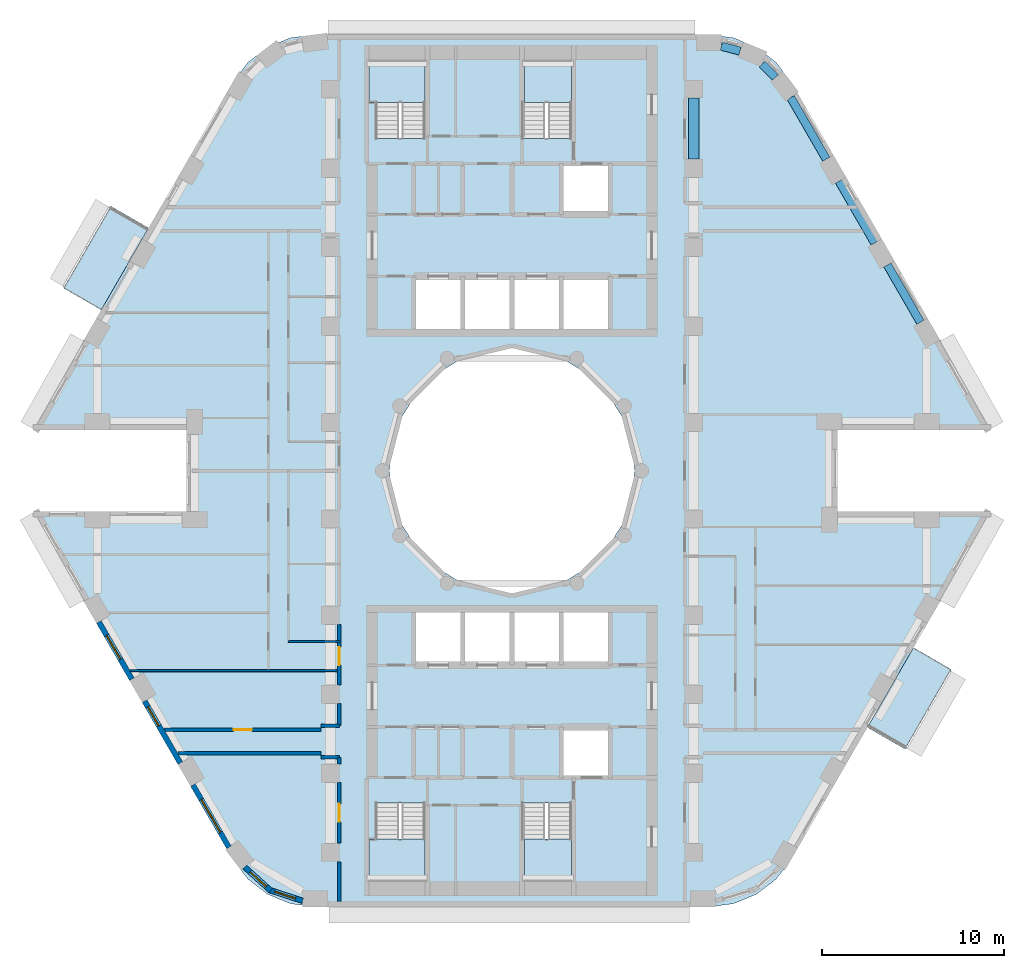
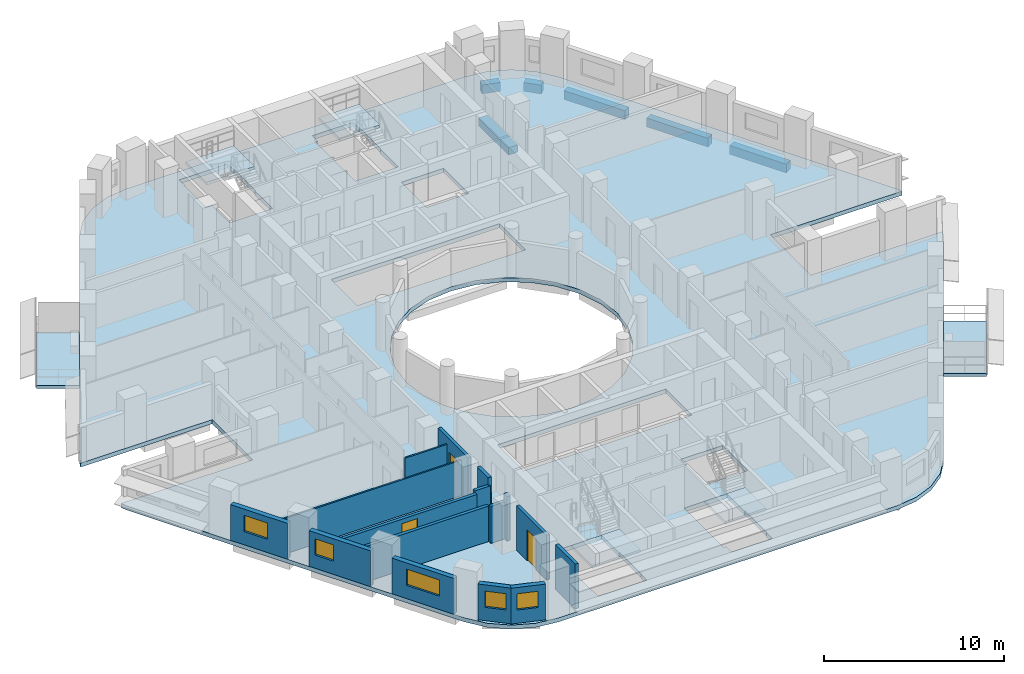
# One storey, part 2 of 14: 16 walls, 7 slabs, 6 beams, 5 windows, 3 doors, 8 openings, 4 elements without a shape of their own.
"""IFC4 building model written with IfcOpenShell, lengths in metres."""

from ifc_helpers import new_model, si_unit, direction, frame, frame_2d, origin, origin_2d, place, context, subcontext, project, spatial, polyline, rectangle, outline, extrude, material, layer, layer_set, material_profile, profile_set, type_object, element, fill, aggregate, save


model = new_model("IFC4")

# Units and contexts
model_context = context("Model", 3, precision=1e-05, world=origin(), true_north=direction((0.0, 1.0)))
body_context = subcontext(model_context, "Body", "Model", "MODEL_VIEW")
ifc_project = project(units=[si_unit("LENGTHUNIT", "METRE"), si_unit("AREAUNIT", "SQUARE_METRE"), si_unit("VOLUMEUNIT", "CUBIC_METRE"), si_unit("PLANEANGLEUNIT", "RADIAN"), si_unit("MASSUNIT", "GRAM", prefix="KILO")], contexts=[model_context])

# Site, building, storey
site_placement = place(None, origin())
site = spatial("IfcSite", under=ifc_project, at=site_placement, CompositionType="ELEMENT")
building_placement = place(site_placement, origin())
building = spatial("IfcBuilding", under=site, at=building_placement, Name="Nakaniwa Court", CompositionType="ELEMENT")
storey_placement = place(building_placement, frame((0.0, 0.0, 110.699951171875)))
storey = spatial("IfcBuildingStorey", under=building, at=storey_placement, Name="L29", CompositionType="ELEMENT", Elevation=110.699951171875)

# Beams
ifc_material_1 = material(Name="Concrete C80/100", Category="concrete")
ifc_material_profile_1 = material_profile(ifc_material_1, rectangle(XDim=0.449951171875, YDim=0.60009765625, at=origin_2d()), Name="Concrete C80/100 RC 450x600 spandrel beam")
ifc_profile_set_1 = profile_set([ifc_material_profile_1], Name="Concrete C80/100")
beam_type_1 = type_object("IfcBeamType", Name="Concrete C80/100 RC 450x600 spandrel beam", PredefinedType="BEAM", material=ifc_profile_set_1)
beam_1_placement = place(storey_placement, frame((102.472900390625, 88.17578125, -0.574951171875), z_axis=(-0.499988394233, 0.866032104273, 0.0), x_axis=(-0.866032104273, -0.499988394233, 0.0)))
element("IfcBeam", 1, at=beam_1_placement, inside=storey, type_object=beam_type_1, Name="SPANDREL BEAM", PredefinedType="BEAM", context=body_context, shape_type="SweptSolid", body=[
    extrude(rectangle(XDim=0.449951171875, YDim=0.60009765625, at=origin_2d()), origin(), (0.0, 0.0, 1.0), 3.62890625),
])
beam_2_placement = place(storey_placement, frame((99.95849609375, 92.531005859375, -0.574951171875), z_axis=(-0.49999161165, 0.866030246746, 0.0), x_axis=(-0.866030246746, -0.49999161165, 0.0)))
element("IfcBeam", 2, at=beam_2_placement, inside=storey, type_object=beam_type_1, Name="SPANDREL BEAM", PredefinedType="BEAM", context=body_context, shape_type="SweptSolid", body=[
    extrude(rectangle(XDim=0.449951171875, YDim=0.60009765625, at=origin_2d()), origin(), (0.0, 0.0, 1.0), 3.92578125),
])
beam_3_placement = place(storey_placement, frame((97.29541015625, 97.143310546875, -0.574951171875), z_axis=(-0.499997407846, 0.86602690036, 0.0), x_axis=(-0.86602690036, -0.499997407846, 0.0)))
element("IfcBeam", 3, at=beam_3_placement, inside=storey, type_object=beam_type_1, Name="SPANDREL BEAM", PredefinedType="BEAM", context=body_context, shape_type="SweptSolid", body=[
    extrude(rectangle(XDim=0.449951171875, YDim=0.60009765625, at=origin_2d()), origin(), (0.0, 0.0, 1.0), 3.919921875),
])
beam_4_placement = place(storey_placement, frame((94.484130859375, 101.6494140625, -0.574951171875), z_axis=(-0.705911336947, 0.7083002078, 0.0), x_axis=(-0.7083002078, -0.705911336947, 0.0)))
element("IfcBeam", 4, at=beam_4_placement, inside=storey, type_object=beam_type_1, Name="SPANDREL BEAM", PredefinedType="BEAM", context=body_context, shape_type="SweptSolid", body=[
    extrude(rectangle(XDim=0.449951171875, YDim=0.60009765625, at=origin_2d()), origin(), (0.0, 0.0, 1.0), 1.02197265625),
])
beam_5_placement = place(storey_placement, frame((92.544921875, 103.091796875, -0.574951171875), z_axis=(-0.966315487466, 0.257360406209, 0.0), x_axis=(-0.257360406209, -0.966315487466, 0.0)))
element("IfcBeam", 5, at=beam_5_placement, inside=storey, type_object=beam_type_1, Name="SPANDREL BEAM", PredefinedType="BEAM", context=body_context, shape_type="SweptSolid", body=[
    extrude(rectangle(XDim=0.449951171875, YDim=0.60009765625, at=origin_2d()), origin(), (0.0, 0.0, 1.0), 1.055908203125),
])
ifc_material_profile_2 = material_profile(ifc_material_1, rectangle(XDim=0.60009765625, YDim=0.5, at=origin_2d()), Name="Concrete C80/100 RC 600x500 ring beam")
ifc_profile_set_2 = profile_set([ifc_material_profile_2], Name="Concrete C80/100")
beam_type_2 = type_object("IfcBeamType", Name="Concrete C80/100 RC 600x500 ring beam", PredefinedType="BEAM", material=ifc_profile_set_2)
beam_6_placement = place(storey_placement, frame((90.0, 97.14990234375, -0.52490234375), z_axis=(0.0, 1.0, 0.0), x_axis=(-1.0, 0.0, 0.0)))
element("IfcBeam", 6, at=beam_6_placement, inside=storey, type_object=beam_type_2, Name="RING BEAM", PredefinedType="BEAM", context=body_context, shape_type="SweptSolid", body=[
    extrude(rectangle(XDim=0.60009765625, YDim=0.5, at=origin_2d()), origin(), (0.0, 0.0, 1.0), 3.35009765625),
])

# Slabs
ifc_material_2 = material(Name="Charcoal ceramic paver")
ifc_layer_1 = layer(ifc_material_2, 0.02, Name="Ceramic paver")
ifc_material_3 = material(Name="Cement sand screed")
ifc_layer_2 = layer(ifc_material_3, 0.03, Name="Falls screed")
ifc_material_4 = material(Name="Concrete C40/50", Category="concrete")
ifc_layer_3 = layer(ifc_material_4, 0.15, Name="Balcony slab")
ifc_layer_set_1 = layer_set([ifc_layer_1, ifc_layer_2, ifc_layer_3], Name="Concrete C40/50 balcony slab with ceramic paver finish")
slab_type_1 = type_object("IfcSlabType", Name="Balcony slab 200", PredefinedType="FLOOR", material=ifc_layer_set_1)
slab_1_placement = place(storey_placement, frame((0.0, 0.0, -0.25)))
element("IfcSlab", 7, at=slab_1_placement, inside=storey, type_object=slab_type_1, Name="L29 balcony 01", PredefinedType="FLOOR", context=body_context, shape_type="SweptSolid", body=[
    extrude(outline(polyline([(60.00048828125, 93.360107421875), (57.398193359375, 88.852783203125), (55.31982421875, 90.052734375), (57.922119140625, 94.56005859375), (60.00048828125, 93.360107421875)])), origin(), (0.0, 0.0, 1.0), 0.199951171875),
])
slab_2_placement = place(storey_placement, frame((0.0, 0.0, -0.25)))
element("IfcSlab", 8, at=slab_2_placement, inside=storey, type_object=slab_type_1, Name="L29 balcony 02", PredefinedType="FLOOR", context=body_context, shape_type="SweptSolid", body=[
    extrude(outline(polyline([(99.558349609375, 65.875732421875), (102.0927734375, 70.265869140625), (104.171142578125, 69.06591796875), (101.63671875, 64.67578125), (99.558349609375, 65.875732421875)])), origin(), (0.0, 0.0, 1.0), 0.199951171875),
])
ifc_layer_4 = layer(ifc_material_1, 0.27490234375)
ifc_layer_set_2 = layer_set([ifc_layer_4], Name="Concrete C80/100")
slab_type_2 = type_object("IfcSlabType", Name="Concrete C80/100 post tensioned floor slab 275", PredefinedType="FLOOR", material=ifc_layer_set_2)
slab_3_placement = place(storey_placement, frame((0.0, 0.0, -0.27490234375)))
element("IfcSlab", 9, at=slab_3_placement, inside=storey, type_object=slab_type_2, Name="FLOOR SLAB", PredefinedType="FLOOR", context=body_context, shape_type="SweptSolid", body=[
    extrude(outline(polyline([(97.908447265625, 82.25), (106.356689453125, 82.25), (106.211669921875, 82.60009765625), (95.357421875, 101.39990234375), (94.531005859375, 102.47705078125), (93.4541015625, 103.30322265625), (92.199951171875, 103.82275390625), (90.854248046875, 104.0), (69.145751953125, 104.0), (67.800048828125, 103.82275390625), (66.5458984375, 103.30322265625), (65.468994140625, 102.47705078125), (64.642578125, 101.39990234375), (53.788330078125, 82.60009765625), (53.643310546875, 82.25), (62.091552734375, 82.25), (62.091552734375, 77.75), (53.643310546875, 77.75), (53.788330078125, 77.39990234375), (64.642578125, 58.60009765625), (65.468994140625, 57.52294921875), (66.5458984375, 56.69677734375), (67.800048828125, 56.17724609375), (69.145751953125, 56.0), (90.854248046875, 56.0), (92.199951171875, 56.17724609375), (93.4541015625, 56.69677734375), (94.531005859375, 57.52294921875), (95.357421875, 58.60009765625), (106.211669921875, 77.39990234375), (106.356689453125, 77.75), (97.908447265625, 77.75), (97.908447265625, 82.25)]), holes=[polyline([(81.501953125, 86.580810546875), (80.0, 86.75), (78.498046875, 86.580810546875), (77.0712890625, 86.08154296875), (75.79150390625, 85.27734375), (74.72265625, 84.20849609375), (73.91845703125, 82.9287109375), (73.419189453125, 81.501953125), (73.25, 80.0), (73.419189453125, 78.498046875), (73.91845703125, 77.0712890625), (74.72265625, 75.79150390625), (75.79150390625, 74.72265625), (77.0712890625, 73.91845703125), (78.498046875, 73.419189453125), (80.0, 73.25), (81.501953125, 73.419189453125), (82.9287109375, 73.91845703125), (84.20849609375, 74.72265625), (85.27734375, 75.79150390625), (86.08154296875, 77.0712890625), (86.580810546875, 78.498046875), (86.75, 80.0), (86.580810546875, 81.501953125), (86.08154296875, 82.9287109375), (85.27734375, 84.20849609375), (84.20849609375, 85.27734375), (82.9287109375, 86.08154296875), (81.501953125, 86.580810546875)]), polyline([(75.264892578125, 57.360107421875), (75.264892578125, 59.764892578125), (75.22509765625, 59.764892578125), (75.22509765625, 61.7099609375), (72.47509765625, 61.7099609375), (72.47509765625, 59.764892578125), (72.0849609375, 59.764892578125), (72.0849609375, 57.360107421875), (72.125, 57.360107421875), (72.125, 56.72509765625), (75.22509765625, 56.72509765625), (75.22509765625, 57.324951171875), (75.22509765625, 57.360107421875), (75.264892578125, 57.360107421875)]), polyline([(80.0, 69.300048828125), (82.699951171875, 69.300048828125), (85.39990234375, 69.300048828125), (85.39990234375, 72.199951171875), (82.699951171875, 72.199951171875), (80.0, 72.199951171875), (77.300048828125, 72.199951171875), (74.60009765625, 72.199951171875), (74.60009765625, 69.300048828125), (77.300048828125, 69.300048828125), (80.0, 69.300048828125)]), polyline([(80.0, 87.800048828125), (82.699951171875, 87.800048828125), (85.39990234375, 87.800048828125), (85.39990234375, 90.699951171875), (82.699951171875, 90.699951171875), (80.0, 90.699951171875), (77.300048828125, 90.699951171875), (74.60009765625, 90.699951171875), (74.60009765625, 87.800048828125), (77.300048828125, 87.800048828125), (80.0, 87.800048828125)]), polyline([(75.264892578125, 100.235107421875), (75.264892578125, 102.639892578125), (75.22509765625, 102.639892578125), (75.22509765625, 102.675048828125), (75.22509765625, 103.27490234375), (72.125, 103.27490234375), (72.125, 102.639892578125), (72.0849609375, 102.639892578125), (72.0849609375, 100.235107421875), (72.47509765625, 100.235107421875), (72.47509765625, 98.2900390625), (75.22509765625, 98.2900390625), (75.22509765625, 100.235107421875), (75.264892578125, 100.235107421875)]), polyline([(83.27490234375, 61.7099609375), (80.52490234375, 61.7099609375), (80.52490234375, 57.324951171875), (80.675048828125, 57.324951171875), (80.675048828125, 56.72509765625), (83.27490234375, 56.72509765625), (83.27490234375, 57.324951171875), (83.27490234375, 57.360107421875), (83.31494140625, 57.360107421875), (83.31494140625, 59.764892578125), (83.27490234375, 59.764892578125), (83.27490234375, 61.7099609375)]), polyline([(85.39990234375, 65.89990234375), (82.699951171875, 65.89990234375), (82.699951171875, 63.10009765625), (85.39990234375, 63.10009765625), (85.39990234375, 65.89990234375)]), polyline([(85.39990234375, 96.89990234375), (82.699951171875, 96.89990234375), (82.699951171875, 94.10009765625), (85.39990234375, 94.10009765625), (85.39990234375, 96.89990234375)]), polyline([(83.27490234375, 100.235107421875), (83.31494140625, 100.235107421875), (83.31494140625, 102.639892578125), (83.27490234375, 102.639892578125), (83.27490234375, 102.675048828125), (83.27490234375, 103.27490234375), (80.675048828125, 103.27490234375), (80.675048828125, 102.675048828125), (80.52490234375, 102.675048828125), (80.52490234375, 98.2900390625), (83.27490234375, 98.2900390625), (83.27490234375, 100.235107421875)])]), origin(), (0.0, 0.0, 1.0), 0.27490234375),
])

# Stair, slab
stair_type = type_object("IfcStairType", Name="Dog leg stair 1300 wide 18 risers", PredefinedType="HALF_TURN_STAIR", material=ifc_material_1)
stair_1_placement = place(storey_placement, origin())
stair_1 = element("IfcStair", 10, at=stair_1_placement, inside=storey, type_object=stair_type, Name="L29 Stair ST1", PredefinedType="HALF_TURN_STAIR")
ifc_layer_5 = layer(ifc_material_1, 0.199951171875)
ifc_layer_set_3 = layer_set([ifc_layer_5], Name="Concrete C80/100")
slab_type_3 = type_object("IfcSlabType", Name="Stair landing concrete", PredefinedType="LANDING", material=ifc_layer_set_3)
slab_4_placement = place(storey_placement, frame((0.0, 0.0, 1.449951171875)))
slab_4 = element("IfcSlab", 11, at=slab_4_placement, type_object=slab_type_3, Name="ST1 landing 1", PredefinedType="LANDING", context=body_context, shape_type="SweptSolid", body=[
    extrude(outline(polyline([(75.22509765625, 100.27490234375), (75.22509765625, 102.60009765625), (72.125, 102.60009765625), (72.125, 100.27490234375), (75.22509765625, 100.27490234375)])), origin(), (0.0, 0.0, 1.0), 0.2001953125),
])
aggregate(stair_1, [slab_4])

stair_2_placement = place(storey_placement, origin())
stair_2 = element("IfcStair", 12, at=stair_2_placement, inside=storey, type_object=stair_type, Name="L29 Stair ST2", PredefinedType="HALF_TURN_STAIR")
slab_5_placement = place(storey_placement, frame((0.0, 0.0, 1.449951171875)))
slab_5 = element("IfcSlab", 13, at=slab_5_placement, type_object=slab_type_3, Name="ST2 landing 1", PredefinedType="LANDING", context=body_context, shape_type="SweptSolid", body=[
    extrude(outline(polyline([(83.27490234375, 100.27490234375), (83.27490234375, 102.60009765625), (80.675048828125, 102.60009765625), (80.675048828125, 100.27490234375), (83.27490234375, 100.27490234375)])), origin(), (0.0, 0.0, 1.0), 0.2001953125),
])
aggregate(stair_2, [slab_5])

stair_3_placement = place(storey_placement, origin())
stair_3 = element("IfcStair", 14, at=stair_3_placement, inside=storey, type_object=stair_type, Name="L29 Stair ST3", PredefinedType="HALF_TURN_STAIR")
slab_6_placement = place(storey_placement, frame((0.0, 0.0, 1.449951171875)))
slab_6 = element("IfcSlab", 15, at=slab_6_placement, type_object=slab_type_3, Name="ST3 landing 1", PredefinedType="LANDING", context=body_context, shape_type="SweptSolid", body=[
    extrude(outline(polyline([(75.22509765625, 57.39990234375), (75.22509765625, 59.72509765625), (72.125, 59.72509765625), (72.125, 57.39990234375), (75.22509765625, 57.39990234375)])), origin(), (0.0, 0.0, 1.0), 0.2001953125),
])
aggregate(stair_3, [slab_6])

stair_4_placement = place(storey_placement, origin())
stair_4 = element("IfcStair", 16, at=stair_4_placement, inside=storey, type_object=stair_type, Name="L29 Stair ST4", PredefinedType="HALF_TURN_STAIR")
slab_7_placement = place(storey_placement, frame((0.0, 0.0, 1.449951171875)))
slab_7 = element("IfcSlab", 17, at=slab_7_placement, type_object=slab_type_3, Name="ST4 landing 1", PredefinedType="LANDING", context=body_context, shape_type="SweptSolid", body=[
    extrude(outline(polyline([(83.27490234375, 57.39990234375), (83.27490234375, 59.72509765625), (80.675048828125, 59.72509765625), (80.675048828125, 57.39990234375), (83.27490234375, 57.39990234375)])), origin(), (0.0, 0.0, 1.0), 0.2001953125),
])
aggregate(stair_4, [slab_7])

# Walls
ifc_material_5 = material(Name="Acoustic double stud partition")
ifc_layer_6 = layer(ifc_material_5, 0.199951171875)
ifc_layer_set_4 = layer_set([ifc_layer_6], Name="Acoustic double stud partition")
wall_type_1 = type_object("IfcWallType", Name="Acoustic double stud partition 200", PredefinedType="PARTITIONING", material=ifc_layer_set_4)
wall_1_placement = place(storey_placement, frame((61.611328125, 64.449951171875, 0.0), z_axis=(0.0, 0.0, 1.0), x_axis=(1.0, 0.0, 0.0)))
element("IfcWall", 18, at=wall_1_placement, inside=storey, type_object=wall_type_1, Name="Partition PW-089", PredefinedType="PARTITIONING", context=body_context, shape_type="SweptSolid", body=[
    extrude(rectangle(XDim=7.888671875, YDim=0.199951171875, at=frame_2d((3.9443359375, 0.0))), origin(), (0.0, 0.0, 1.0), 2.405029296875),
])
for number, where, z_axis, x_axis, name in (
    (19, (69.5, 64.22509765625, 0.0), (0.0, 0.0, 1.0), (1.0, 0.0, 0.0), "Partition PW-091"),
    (20, (69.5, 65.97509765625, 0.0), (0.0, 0.0, 1.0), (1.0, 0.0, 0.0), "Partition PW-093"),
):
    element("IfcWall", number, at=place(storey_placement, frame(where, z_axis=z_axis, x_axis=x_axis)), inside=storey, type_object=wall_type_1, Name=name, PredefinedType="PARTITIONING", context=body_context, shape_type="SweptSolid", body=[
        extrude(rectangle(XDim=1.0, YDim=0.199951171875, at=frame_2d((0.5, 0.0))), origin(), (0.0, 0.0, 1.0), 2.505126953125),
    ])

# Wall, opening, door
wall_2_placement = place(storey_placement, frame((60.86083984375, 65.75, 0.0), z_axis=(0.0, 0.0, 1.0), x_axis=(1.0, 0.0, 0.0)))
wall_2 = element("IfcWall", 21, at=wall_2_placement, inside=storey, type_object=wall_type_1, Name="Partition PW-095", PredefinedType="PARTITIONING", context=body_context, shape_type="SweptSolid", body=[
    extrude(rectangle(XDim=8.63916015625, YDim=0.199951171875, at=frame_2d((4.319580078125, 0.0))), origin(), (0.0, 0.0, 1.0), 2.405029296875),
])
opening_1_placement = place(wall_2_placement, frame((3.820068359375, 0.0, 0.0)))
opening_1 = element("IfcOpeningElement", 22, at=opening_1_placement, cuts=wall_2, Name="Opening D-02-07", PredefinedType="OPENING", context=body_context, shape_type="SweptSolid", body=[
    extrude(rectangle(XDim=1.0, YDim=2.10009765625, at=frame_2d((0.5, 1.050048828125))), frame((0.0, 0.10986328125, 0.0), z_axis=(0.0, -1.0, 0.0), x_axis=(1.0, 0.0, 0.0)), (0.0, 0.0, 1.0), 0.219970703125),
])
ifc_material_6 = material(Name="Solid core timber door set, black veneer", Category="wood")
door_type_1 = type_object("IfcDoorType", Name="Internal door 1000", OperationType="NOTDEFINED", PredefinedType="DOOR", material=ifc_material_6)
door_1_placement = place(opening_1_placement, origin())
door_1 = element("IfcDoor", 23, at=door_1_placement, inside=storey, type_object=door_type_1, Name="Door D-02-07 L29-053", OperationType="SINGLE_SWING_RIGHT", OverallHeight=2.10009765625, OverallWidth=1.0, PredefinedType="DOOR", context=body_context, shape_type="SweptSolid", body=[
    extrude(rectangle(XDim=1.0, YDim=2.10009765625, at=frame_2d((0.5, 1.050048828125))), frame((0.0, 0.02490234375, 0.0), z_axis=(0.0, -1.0, 0.0), x_axis=(1.0, 0.0, 0.0)), (0.0, 0.0, 1.0), 0.050048828125),
])
fill(opening_1, door_1)

# Wall
wall_3_placement = place(storey_placement, frame((70.5, 56.300048828125, 0.0), z_axis=(0.0, 0.0, 1.0), x_axis=(0.0, 1.0, 0.0)))
element("IfcWall", 24, at=wall_3_placement, inside=storey, type_object=wall_type_1, Name="Partition PW-097", PredefinedType="PARTITIONING", context=body_context, shape_type="SweptSolid", body=[
    extrude(rectangle(XDim=2.182861328125, YDim=0.199951171875, at=frame_2d((1.09130859375, 0.0))), origin(), (0.0, 0.0, 1.0), 3.025146484375),
])

# Wall, opening, door
wall_4_placement = place(storey_placement, frame((70.5, 59.51708984375, 0.0), z_axis=(0.0, 0.0, 1.0), x_axis=(0.0, 1.0, 0.0)))
wall_4 = element("IfcWall", 25, at=wall_4_placement, inside=storey, type_object=wall_type_1, Name="Partition PW-098", PredefinedType="PARTITIONING", context=body_context, shape_type="SweptSolid", body=[
    extrude(rectangle(XDim=3.31591796875, YDim=0.199951171875, at=frame_2d((1.657958984375, 0.0))), origin(), (0.0, 0.0, 1.0), 3.025146484375),
])
opening_2_placement = place(wall_4_placement, frame((1.157958984375, 0.0, 0.0)))
opening_2 = element("IfcOpeningElement", 26, at=opening_2_placement, cuts=wall_4, Name="Opening D-02-05", PredefinedType="OPENING", context=body_context, shape_type="SweptSolid", body=[
    extrude(rectangle(XDim=1.0, YDim=2.10009765625, at=frame_2d((0.5, 1.050048828125))), frame((0.0, 0.10986328125, 0.0), z_axis=(0.0, -1.0, 0.0), x_axis=(1.0, 0.0, 0.0)), (0.0, 0.0, 1.0), 0.219970703125),
])
door_2_placement = place(opening_2_placement, origin())
door_2 = element("IfcDoor", 27, at=door_2_placement, inside=storey, type_object=door_type_1, Name="Door D-02-05 L29-037", OperationType="SINGLE_SWING_RIGHT", OverallHeight=2.10009765625, OverallWidth=1.0, PredefinedType="DOOR", context=body_context, shape_type="SweptSolid", body=[
    extrude(rectangle(XDim=1.0, YDim=2.10009765625, at=frame_2d((0.5, 1.050048828125))), frame((0.0, 0.02490234375, 0.0), z_axis=(0.0, -1.0, 0.0), x_axis=(1.0, 0.0, 0.0)), (0.0, 0.0, 1.0), 0.050048828125),
])
fill(opening_2, door_2)

# Walls
wall_5_placement = place(storey_placement, frame((70.5, 63.866943359375, 0.0), z_axis=(0.0, 0.0, 1.0), x_axis=(0.0, 1.0, 0.0)))
element("IfcWall", 28, at=wall_5_placement, inside=storey, type_object=wall_type_1, Name="Partition PW-099", PredefinedType="PARTITIONING", context=body_context, shape_type="SweptSolid", body=[
    extrude(rectangle(XDim=0.361083984375, YDim=0.199951171875, at=frame_2d((0.1806640625, 0.0))), origin(), (0.0, 0.0, 1.0), 3.025146484375),
])
wall_6_placement = place(storey_placement, frame((70.5, 65.971923828125, 0.0), z_axis=(0.0, 0.0, 1.0), x_axis=(0.0, 1.0, 0.0)))
element("IfcWall", 29, at=wall_6_placement, inside=storey, type_object=wall_type_1, Name="Partition PW-100", PredefinedType="PARTITIONING", context=body_context, shape_type="SweptSolid", body=[
    extrude(rectangle(XDim=1.211181640625, YDim=0.199951171875, at=frame_2d((0.60546875, 0.0))), origin(), (0.0, 0.0, 1.0), 3.025146484375),
])

# Wall, opening, door
wall_7_placement = place(storey_placement, frame((70.5, 68.217041015625, 0.0), z_axis=(0.0, 0.0, 1.0), x_axis=(0.0, 1.0, 0.0)))
wall_7 = element("IfcWall", 30, at=wall_7_placement, inside=storey, type_object=wall_type_1, Name="Partition PW-101", PredefinedType="PARTITIONING", context=body_context, shape_type="SweptSolid", body=[
    extrude(rectangle(XDim=3.31591796875, YDim=0.199951171875, at=frame_2d((1.657958984375, 0.0))), origin(), (0.0, 0.0, 1.0), 3.025146484375),
])
opening_3_placement = place(wall_7_placement, frame((1.0830078125, 0.0, 0.0)))
opening_3 = element("IfcOpeningElement", 31, at=opening_3_placement, cuts=wall_7, Name="Opening D-01-02", PredefinedType="OPENING", context=body_context, shape_type="SweptSolid", body=[
    extrude(rectangle(XDim=1.0, YDim=2.10009765625, at=frame_2d((0.5, 1.050048828125))), frame((0.0, 0.10986328125, 0.0), z_axis=(0.0, -1.0, 0.0), x_axis=(1.0, 0.0, 0.0)), (0.0, 0.0, 1.0), 0.219970703125),
])
door_type_2 = type_object("IfcDoorType", Name="Flat entrance door 1000", OperationType="NOTDEFINED", PredefinedType="DOOR", material=ifc_material_6)
door_3_placement = place(opening_3_placement, origin())
door_3 = element("IfcDoor", 32, at=door_3_placement, inside=storey, type_object=door_type_2, Name="Door D-01-02 L29-038", OperationType="SINGLE_SWING_LEFT", OverallHeight=2.10009765625, OverallWidth=1.0, PredefinedType="DOOR", context=body_context, shape_type="SweptSolid", body=[
    extrude(rectangle(XDim=1.0, YDim=2.10009765625, at=frame_2d((0.5, 1.050048828125))), frame((0.0, 0.02490234375, 0.0), z_axis=(0.0, -1.0, 0.0), x_axis=(1.0, 0.0, 0.0)), (0.0, 0.0, 1.0), 0.050048828125),
])
fill(opening_3, door_3)

# Wall, opening, window
ifc_material_7 = material(Name="Charcoal ceramic cladding")
ifc_layer_7 = layer(ifc_material_7, 0.02, Name="Ceramic cladding")
ifc_material_8 = material(Name="Ventilated air cavity")
ifc_layer_8 = layer(ifc_material_8, 0.04, ventilated=True, Name="Ventilated cavity")
ifc_material_9 = material(Name="Mineral wool insulation")
ifc_layer_9 = layer(ifc_material_9, 0.1, Name="Insulation")
ifc_material_10 = material(Name="Cement bonded sheathing board")
ifc_layer_10 = layer(ifc_material_10, 0.012, Name="Sheathing")
ifc_material_11 = material(Name="Cold-formed galvanised stud frame with mineral wool infill")
ifc_layer_11 = layer(ifc_material_11, 0.1, Name="Stud frame")
ifc_material_12 = material(Name="Fire-rated gypsum plasterboard lining")
ifc_layer_12 = layer(ifc_material_12, 0.028, Name="Lining")
ifc_layer_set_5 = layer_set([ifc_layer_7, ifc_layer_8, ifc_layer_9, ifc_layer_10, ifc_layer_11, ifc_layer_12], Name="Charcoal ceramic faced external wall system")
wall_type_2 = type_object("IfcWallType", Name="Black ceramic faced external wall 300", PredefinedType="SOLIDWALL", material=ifc_layer_set_5)
wall_8_placement = place(storey_placement, frame((57.265380859375, 71.677490234375, 0.0), z_axis=(0.0, 0.0, 1.0), x_axis=(0.500009139881, -0.866020126807, 0.0)))
wall_8 = element("IfcWall", 33, at=wall_8_placement, inside=storey, type_object=wall_type_2, Name="L29 external wall 21", PredefinedType="SOLIDWALL", context=body_context, shape_type="SweptSolid", body=[
    extrude(rectangle(XDim=3.63671875, YDim=0.300048828125, at=frame_2d((1.818359375, 0.0))), origin(), (0.0, 0.0, 1.0), 2.425048828125),
])
opening_4_placement = place(wall_8_placement, frame((0.85693359375, 0.0, 0.89990234375)))
opening_4 = element("IfcOpeningElement", 34, at=opening_4_placement, cuts=wall_8, Name="Opening W5.19", PredefinedType="OPENING", context=body_context, shape_type="SweptSolid", body=[
    extrude(rectangle(XDim=1.5, YDim=1.10009765625, at=frame_2d((0.75, 0.550048828125))), frame((0.0, 0.159912109375, 0.0), z_axis=(0.0, -1.0, 0.0), x_axis=(1.0, 0.0, 0.0)), (0.0, 0.0, 1.0), 0.320068359375),
])
ifc_material_13 = material(Name="Black anodised aluminium frame with dark low-E laminated double glazing", Category="aluminium")
window_type_1 = type_object("IfcWindowType", Name="Dark glass window 1500x1100 sill 900", PartitioningType="SINGLE_PANEL", PredefinedType="WINDOW", material=ifc_material_13)
window_1_placement = place(opening_4_placement, origin())
window_1 = element("IfcWindow", 35, at=window_1_placement, inside=storey, type_object=window_type_1, Name="L29 bedroom window 21-0", OverallHeight=1.10009765625, OverallWidth=1.5, PartitioningType="SINGLE_PANEL", PredefinedType="WINDOW", context=body_context, shape_type="SweptSolid", body=[
    extrude(rectangle(XDim=1.5, YDim=1.10009765625, at=frame_2d((0.75, 0.550048828125))), frame((0.0, 0.030029296875, 0.0), z_axis=(0.0, -1.0, 0.0), x_axis=(1.0, 0.0, 0.0)), (0.0, 0.0, 1.0), 0.06005859375),
])
fill(opening_4, window_1)

wall_9_placement = place(storey_placement, frame((59.77978515625, 67.322509765625, 0.0), z_axis=(0.0, 0.0, 1.0), x_axis=(0.499957037901, -0.866050206543, 0.0)))
wall_9 = element("IfcWall", 36, at=wall_9_placement, inside=storey, type_object=wall_type_2, Name="L29 external wall 22", PredefinedType="SOLIDWALL", context=body_context, shape_type="SweptSolid", body=[
    extrude(rectangle(XDim=3.933837890625, YDim=0.300048828125, at=frame_2d((1.966796875, 0.0))), origin(), (0.0, 0.0, 1.0), 2.425048828125),
])
opening_5_placement = place(wall_9_placement, frame((0.368896484375, 0.0, 0.89990234375)))
opening_5 = element("IfcOpeningElement", 37, at=opening_5_placement, cuts=wall_9, Name="Opening W6.20", PredefinedType="OPENING", context=body_context, shape_type="SweptSolid", body=[
    extrude(rectangle(XDim=1.199951171875, YDim=1.10009765625, at=frame_2d((0.60009765625, 0.550048828125))), frame((0.0, 0.159912109375, 0.0), z_axis=(0.0, -1.0, 0.0), x_axis=(1.0, 0.0, 0.0)), (0.0, 0.0, 1.0), 0.320068359375),
])
window_type_2 = type_object("IfcWindowType", Name="Dark glass window 1200x1100 sill 900", PartitioningType="SINGLE_PANEL", PredefinedType="WINDOW", material=ifc_material_13)
window_2_placement = place(opening_5_placement, origin())
window_2 = element("IfcWindow", 38, at=window_2_placement, inside=storey, type_object=window_type_2, Name="L29 habitable room window 22-0", OverallHeight=1.10009765625, OverallWidth=1.199951171875, PartitioningType="SINGLE_PANEL", PredefinedType="WINDOW", context=body_context, shape_type="SweptSolid", body=[
    extrude(rectangle(XDim=1.199951171875, YDim=1.10009765625, at=frame_2d((0.60009765625, 0.550048828125))), frame((0.0, 0.030029296875, 0.0), z_axis=(0.0, -1.0, 0.0), x_axis=(1.0, 0.0, 0.0)), (0.0, 0.0, 1.0), 0.06005859375),
])
fill(opening_5, window_2)

wall_10_placement = place(storey_placement, frame((62.442626953125, 62.710205078125, 0.0), z_axis=(0.0, 0.0, 1.0), x_axis=(0.500043828347, -0.866000097998, 0.0)))
wall_10 = element("IfcWall", 39, at=wall_10_placement, inside=storey, type_object=wall_type_2, Name="L29 external wall 23", PredefinedType="SOLIDWALL", context=body_context, shape_type="SweptSolid", body=[
    extrude(rectangle(XDim=3.967529296875, YDim=0.300048828125, at=frame_2d((1.98388671875, 0.0))), origin(), (0.0, 0.0, 1.0), 2.425048828125),
])
opening_6_placement = place(wall_10_placement, frame((0.92236328125, 0.0, 0.89990234375)))
opening_6 = element("IfcOpeningElement", 40, at=opening_6_placement, cuts=wall_10, Name="Opening W7.21", PredefinedType="OPENING", context=body_context, shape_type="SweptSolid", body=[
    extrude(rectangle(XDim=2.10009765625, YDim=1.10009765625, at=frame_2d((1.050048828125, 0.550048828125))), frame((0.0, 0.159912109375, 0.0), z_axis=(0.0, -1.0, 0.0), x_axis=(1.0, 0.0, 0.0)), (0.0, 0.0, 1.0), 0.320068359375),
])
window_type_3 = type_object("IfcWindowType", Name="Dark glass window 2100x1100 sill 900", PartitioningType="SINGLE_PANEL", PredefinedType="WINDOW", material=ifc_material_13)
window_3_placement = place(opening_6_placement, origin())
window_3 = element("IfcWindow", 41, at=window_3_placement, inside=storey, type_object=window_type_3, Name="L29 habitable room window 23-0", OverallHeight=1.10009765625, OverallWidth=2.10009765625, PartitioningType="SINGLE_PANEL", PredefinedType="WINDOW", context=body_context, shape_type="SweptSolid", body=[
    extrude(rectangle(XDim=2.10009765625, YDim=1.10009765625, at=frame_2d((1.050048828125, 0.550048828125))), frame((0.0, 0.030029296875, 0.0), z_axis=(0.0, -1.0, 0.0), x_axis=(1.0, 0.0, 0.0)), (0.0, 0.0, 1.0), 0.06005859375),
])
fill(opening_6, window_3)

wall_11_placement = place(storey_placement, frame((65.294921875, 58.18603515625, 0.0), z_axis=(0.0, 0.0, 1.0), x_axis=(0.740421367382, -0.672142989791, 0.0)))
wall_11 = element("IfcWall", 42, at=wall_11_placement, inside=storey, type_object=wall_type_2, Name="L29 external wall 24", PredefinedType="SOLIDWALL", context=body_context, shape_type="SweptSolid", body=[
    extrude(rectangle(XDim=1.92724609375, YDim=0.300048828125, at=frame_2d((0.963623046875, 0.0))), origin(), (0.0, 0.0, 1.0), 2.425048828125),
])
opening_7_placement = place(wall_11_placement, frame((0.39111328125, 0.0, 0.89990234375)))
opening_7 = element("IfcOpeningElement", 43, at=opening_7_placement, cuts=wall_11, Name="Opening W6.22", PredefinedType="OPENING", context=body_context, shape_type="SweptSolid", body=[
    extrude(rectangle(XDim=1.199951171875, YDim=1.10009765625, at=frame_2d((0.60009765625, 0.550048828125))), frame((0.0, 0.159912109375, 0.0), z_axis=(0.0, -1.0, 0.0), x_axis=(1.0, 0.0, 0.0)), (0.0, 0.0, 1.0), 0.320068359375),
])
window_4_placement = place(opening_7_placement, origin())
window_4 = element("IfcWindow", 44, at=window_4_placement, inside=storey, type_object=window_type_2, Name="L29 habitable room window 24-0", OverallHeight=1.10009765625, OverallWidth=1.199951171875, PartitioningType="SINGLE_PANEL", PredefinedType="WINDOW", context=body_context, shape_type="SweptSolid", body=[
    extrude(rectangle(XDim=1.199951171875, YDim=1.10009765625, at=frame_2d((0.60009765625, 0.550048828125))), frame((0.0, 0.030029296875, 0.0), z_axis=(0.0, -1.0, 0.0), x_axis=(1.0, 0.0, 0.0)), (0.0, 0.0, 1.0), 0.06005859375),
])
fill(opening_7, window_4)

wall_12_placement = place(storey_placement, frame((66.625, 56.939453125, 0.0), z_axis=(0.0, 0.0, 1.0), x_axis=(0.950777961763, -0.309872985958, 0.0)))
wall_12 = element("IfcWall", 45, at=wall_12_placement, inside=storey, type_object=wall_type_2, Name="L29 external wall 25", PredefinedType="SOLIDWALL", context=body_context, shape_type="SweptSolid", body=[
    extrude(rectangle(XDim=1.949951171875, YDim=0.300048828125, at=frame_2d((0.97509765625, 0.0))), origin(), (0.0, 0.0, 1.0), 2.425048828125),
])
opening_8_placement = place(wall_12_placement, frame((0.334716796875, 0.0, 0.89990234375)))
opening_8 = element("IfcOpeningElement", 46, at=opening_8_placement, cuts=wall_12, Name="Opening W6.23", PredefinedType="OPENING", context=body_context, shape_type="SweptSolid", body=[
    extrude(rectangle(XDim=1.199951171875, YDim=1.10009765625, at=frame_2d((0.60009765625, 0.550048828125))), frame((0.0, 0.159912109375, 0.0), z_axis=(0.0, -1.0, 0.0), x_axis=(1.0, 0.0, 0.0)), (0.0, 0.0, 1.0), 0.320068359375),
])
window_5_placement = place(opening_8_placement, origin())
window_5 = element("IfcWindow", 47, at=window_5_placement, inside=storey, type_object=window_type_2, Name="L29 habitable room window 25-0", OverallHeight=1.10009765625, OverallWidth=1.199951171875, PartitioningType="SINGLE_PANEL", PredefinedType="WINDOW", context=body_context, shape_type="SweptSolid", body=[
    extrude(rectangle(XDim=1.199951171875, YDim=1.10009765625, at=frame_2d((0.60009765625, 0.550048828125))), frame((0.0, 0.030029296875, 0.0), z_axis=(0.0, -1.0, 0.0), x_axis=(1.0, 0.0, 0.0)), (0.0, 0.0, 1.0), 0.06005859375),
])
fill(opening_8, window_5)

# Walls
ifc_material_14 = material(Name="Single stud plasterboard partition")
ifc_layer_13 = layer(ifc_material_14, 0.10009765625)
ifc_layer_set_6 = layer_set([ifc_layer_13], Name="Single stud plasterboard partition")
wall_type_3 = type_object("IfcWallType", Name="Single stud plasterboard partition 100", PredefinedType="PARTITIONING", material=ifc_layer_set_6)
wall_13_placement = place(storey_placement, frame((67.699951171875, 70.60009765625, 0.0), z_axis=(0.0, 0.0, 1.0), x_axis=(1.0, 0.0, 0.0)))
element("IfcWall", 48, at=wall_13_placement, inside=storey, type_object=wall_type_3, Name="Partition PW-118", PredefinedType="PARTITIONING", context=body_context, shape_type="SweptSolid", body=[
    extrude(rectangle(XDim=2.800048828125, YDim=0.10009765625, at=frame_2d((1.39990234375, 0.0))), origin(), (0.0, 0.0, 1.0), 2.505126953125),
])
wall_14_placement = place(storey_placement, frame((58.984619140625, 69.0, 0.0), z_axis=(0.0, 0.0, 1.0), x_axis=(1.0, 0.0, 0.0)))
element("IfcWall", 49, at=wall_14_placement, inside=storey, type_object=wall_type_3, Name="Partition PW-123", PredefinedType="PARTITIONING", context=body_context, shape_type="SweptSolid", body=[
    extrude(rectangle(XDim=11.515380859375, YDim=0.10009765625, at=frame_2d((5.7578125, 0.0))), origin(), (0.0, 0.0, 1.0), 2.405029296875),
])

save(model, "model.ifc")
